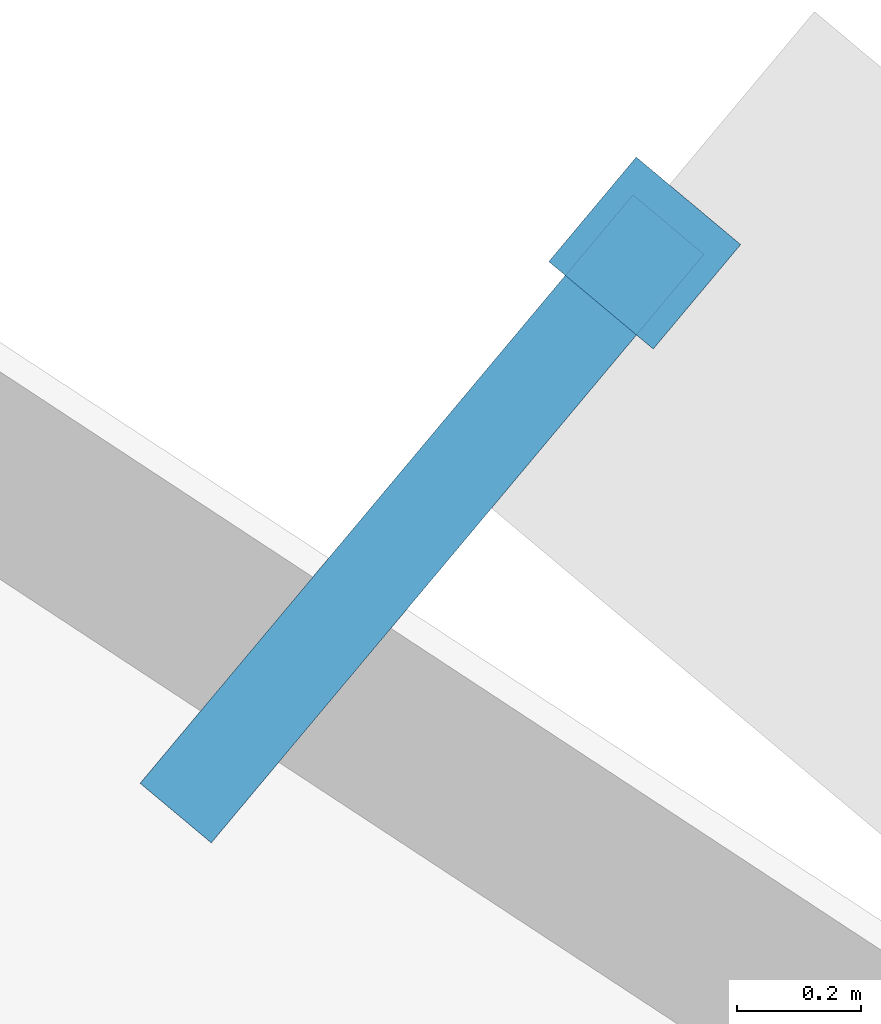
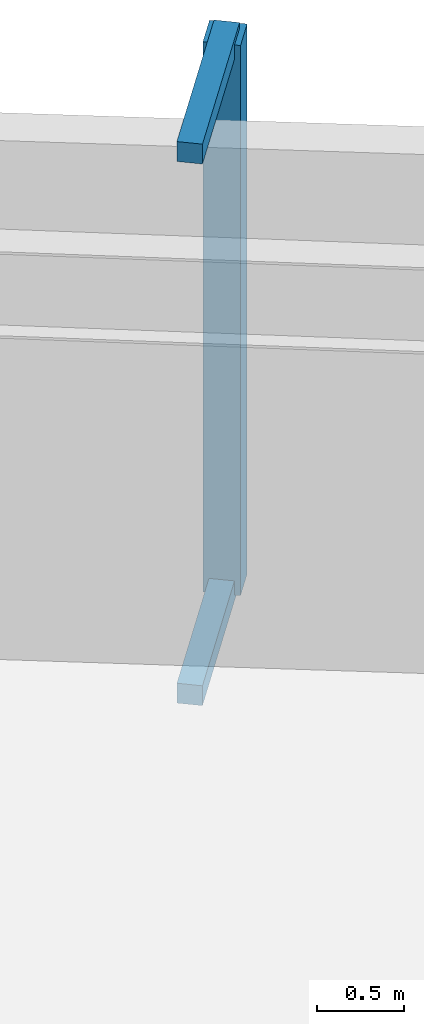
# One storey, part 11 of 13: 3 discrete accessories.
"""IFC4 building model written with IfcOpenShell, lengths in metres."""

from ifc_helpers import new_model, si_unit, direction, frame, origin, origin_2d, place, context, subcontext, project, spatial, rectangle, extrude, source, transform, mapped, material, type_object, type_shapes, element, save


model = new_model("IFC4")

# Units and contexts
model_context = context("Model", 3, precision=1e-05, world=origin(), true_north=direction((0.0, 1.0)))
body_context = subcontext(model_context, "Body", "Model", "MODEL_VIEW")
ifc_project = project(units=[si_unit("LENGTHUNIT", "METRE"), si_unit("AREAUNIT", "SQUARE_METRE"), si_unit("VOLUMEUNIT", "CUBIC_METRE"), si_unit("PLANEANGLEUNIT", "RADIAN"), si_unit("MASSUNIT", "GRAM", prefix="KILO")], contexts=[model_context])

# Site, building, storey
site_placement = place(None, origin())
site = spatial("IfcSite", under=ifc_project, at=site_placement, CompositionType="ELEMENT")
building_placement = place(site_placement, origin())
building = spatial("IfcBuilding", under=site, at=building_placement, Name="Breltana Convention Tower", CompositionType="ELEMENT")
storey_placement = place(building_placement, frame((0.0, 0.0, 158.39990234375)))
storey = spatial("IfcBuildingStorey", under=building, at=storey_placement, Name="L38", CompositionType="ELEMENT", Elevation=158.39990234375)

# Discrete accessories
ifc_material = material(Name="Steel S355", Category="steel")
discrete_accessory_type_1 = type_object("IfcDiscreteAccessoryType", Name="ACC-DSF-BRACKET-150", PredefinedType="BRACKET", material=ifc_material)
shared_shape_1 = source(origin(), body_context, "Body", "SweptSolid", [
    extrude(rectangle(XDim=1.239990234375, YDim=0.14990234375, at=origin_2d()), origin(), (0.0, 0.0, 1.0), 0.139892578125),
])
type_shapes(discrete_accessory_type_1, [shared_shape_1])
for number, where, z_axis, x_axis, name in (
    (1, (66.019287109375, 72.327880859375, -0.15966796875), (0.0, 0.0, 1.0), (0.641989340657, 0.766713562214, 0.0), "L38 double-skin slab stand-off bracket 2.1B"),
    (2, (66.019287109375, 72.327880859375, 3.650390625), (0.0, 0.0, 1.0), (0.641989340657, 0.766713562214, 0.0), "L38 double-skin slab stand-off bracket 2.1T"),
):
    element("IfcDiscreteAccessory", number, at=place(storey_placement, frame(where, z_axis=z_axis, x_axis=x_axis)), inside=storey, type_object=discrete_accessory_type_1, Name=name, PredefinedType="BRACKET", context=body_context, shape_type="MappedRepresentation", body=[
        mapped(shared_shape_1, transform((0.0, 0.0, 0.0), scale=1.0)),
    ])
discrete_accessory_type_2 = type_object("IfcDiscreteAccessoryType", Name="ACC-DSF-CARRIER-150", PredefinedType="BRACKET", material=ifc_material)
shared_shape_2 = source(origin(), body_context, "Body", "SweptSolid", [
    extrude(rectangle(XDim=0.219970703125, YDim=0.219970703125, at=origin_2d()), origin(), (0.0, 0.0, 1.0), 3.8701171875),
])
discrete_accessory_placement = place(storey_placement, frame((66.37890625, 72.757080078125, -0.119873046875), z_axis=(0.0, 0.0, 1.0), x_axis=(0.641989340657, 0.766713562214, 0.0)))
element("IfcDiscreteAccessory", 3, at=discrete_accessory_placement, inside=storey, type_object=discrete_accessory_type_2, Name="L38 double-skin outer vertical carrier 2.1", PredefinedType="BRACKET", context=body_context, shape_type="MappedRepresentation", body=[
    mapped(shared_shape_2, transform((0.0, 0.0, 0.0), scale=1.0)),
])

save(model, "model.ifc")
